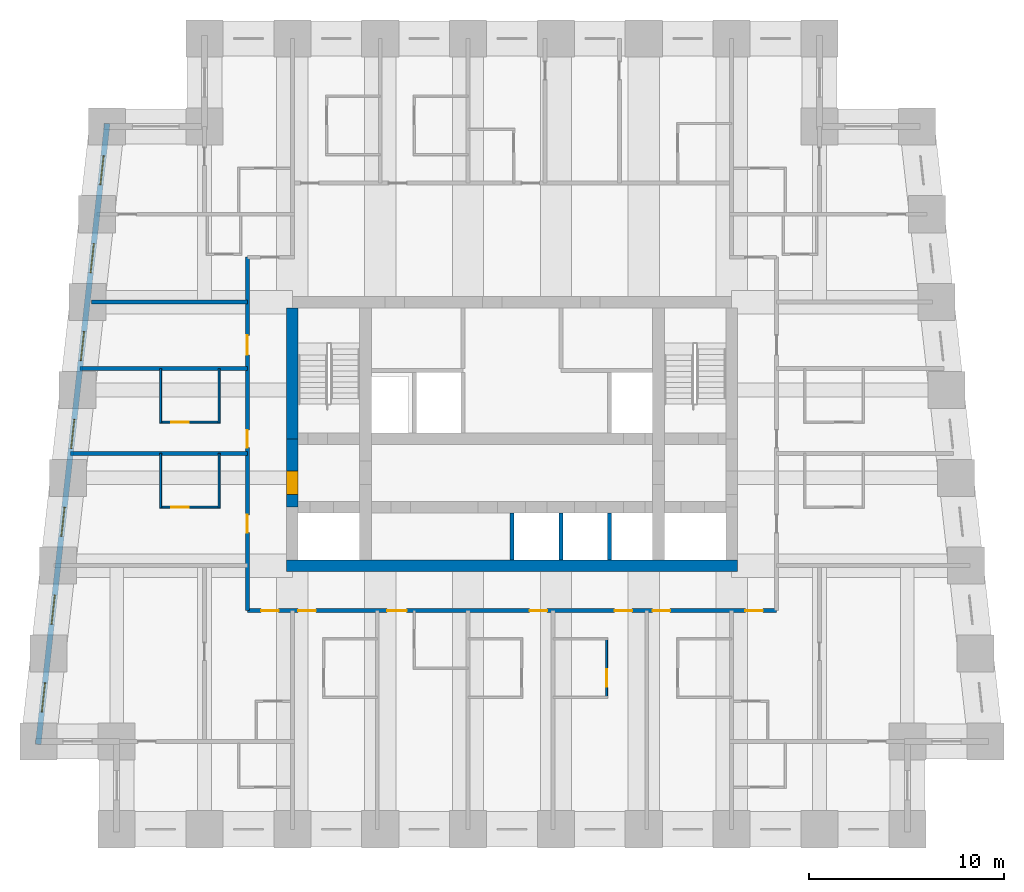
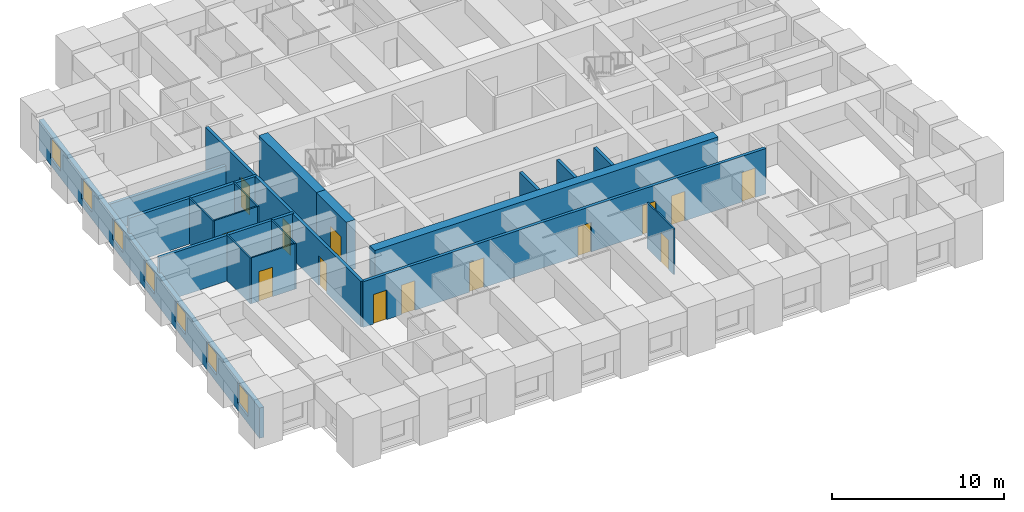
# One storey, part 3 of 8: 19 walls, 14 doors, 7 windows, 21 openings.
"""IFC4 building model written with IfcOpenShell, lengths in metres."""

import ifcopenshell
import ifcopenshell.guid

model = None  # the IFC model being written
_history = None  # IfcOwnerHistory: only IFC2X3 demands one
_inside = {}  # id of a spatial element -> (the spatial element, [elements in it])
_under = {}  # id of a project, library or spatial element -> (it, [spatial elements below it])
_declared = {}  # id of a project -> (the project, [libraries it declares])
_typed = {}  # id of a type object -> (the type object, [elements of that type])
_made_of = {}  # id of a material, layer set ... -> (it, [elements and type objects made of it])


def new_model(schema):
    """Start an empty IFC model of exactly this schema.

    Asked for "IFC4X3", IfcOpenShell would pick the latest addendum, in which some entities
    have other attributes; the version numbers below select the first issue.
    IFC2X3 requires an IfcOwnerHistory on every rooted entity: one is made here for all.
    """
    global model, _history
    if schema == "IFC4X3":
        model = ifcopenshell.file(schema_version=(4, 3, 0, 0))
    else:
        model = ifcopenshell.file(schema=schema)
    _inside.clear()
    _under.clear()
    _declared.clear()
    _typed.clear()
    _made_of.clear()
    _history = None
    if model.schema == "IFC2X3":
        org = make("IfcOrganization", Name="unknown")
        user = make(
            "IfcPersonAndOrganization",
            ThePerson=make("IfcPerson", FamilyName="unknown"),
            TheOrganization=org,
        )
        app = make(
            "IfcApplication",
            ApplicationDeveloper=org,
            Version="unknown",
            ApplicationFullName="unknown",
            ApplicationIdentifier="unknown",
        )
        _history = make(
            "IfcOwnerHistory",
            OwningUser=user,
            OwningApplication=app,
            ChangeAction="ADDED",
            CreationDate=0,
        )
    return model


def make(cls, **values):
    """One entity of the class cls with the attributes given. An attribute that is None is left unset."""
    return model.create_entity(
        cls, **{name: value for name, value in values.items() if value is not None}
    )


def rooted(cls, **values):
    """An entity with a GlobalId (a new one), such as an element, a storey or a relation."""
    return make(cls, GlobalId=ifcopenshell.guid.new(), OwnerHistory=_history, **values)


def si_unit(unit_type, name, prefix=None):
    """IfcSIUnit, for example si_unit("LENGTHUNIT", "METRE", prefix="MILLI")."""
    return make("IfcSIUnit", UnitType=unit_type, Prefix=prefix, Name=name)


def assignment(units):
    """IfcUnitAssignment: the units of a project."""
    return None if units is None else make("IfcUnitAssignment", Units=units)


def point(xyz):
    """IfcCartesianPoint."""
    return None if xyz is None else make("IfcCartesianPoint", Coordinates=xyz)


def direction(xyz):
    """IfcDirection."""
    return None if xyz is None else make("IfcDirection", DirectionRatios=xyz)


def frame(location, z_axis=None, x_axis=None):
    """IfcAxis2Placement3D, a coordinate frame: its origin and axes. An axis left out is left unset."""
    return make(
        "IfcAxis2Placement3D",
        Location=point(location),
        Axis=direction(z_axis),
        RefDirection=direction(x_axis),
    )


def frame_2d(location, x_axis=None):
    """IfcAxis2Placement2D, a coordinate frame in the plane: its origin and x axis."""
    return make(
        "IfcAxis2Placement2D", Location=point(location), RefDirection=direction(x_axis)
    )


def origin():
    """The frame at (0, 0, 0) with its axes left unset."""
    return frame((0.0, 0.0, 0.0))


def place(relative_to, where):
    """IfcLocalPlacement: puts the frame where relative to a parent placement (None: the world)."""
    return make(
        "IfcLocalPlacement", PlacementRelTo=relative_to, RelativePlacement=where
    )


def context(
    kind, dimensions, precision=None, world=None, true_north=None, identifier=None
):
    """IfcGeometricRepresentationContext, for example the 3D "Model" context."""
    return make(
        "IfcGeometricRepresentationContext",
        ContextIdentifier=identifier,
        ContextType=kind,
        CoordinateSpaceDimension=dimensions,
        Precision=precision,
        WorldCoordinateSystem=world,
        TrueNorth=true_north,
    )


def subcontext(parent, identifier, kind, view, scale=None):
    """IfcGeometricRepresentationSubContext, for example "Body" below "Model"."""
    return make(
        "IfcGeometricRepresentationSubContext",
        ContextIdentifier=identifier,
        ContextType=kind,
        ParentContext=parent,
        TargetScale=scale,
        TargetView=view,
    )


def project(units=None, contexts=None):
    """IfcProject with its units and contexts."""
    return rooted(
        "IfcProject",
        Name="project",
        RepresentationContexts=contexts,
        UnitsInContext=assignment(units),
    )


def spatial(cls, under=None, at=None, **own):
    """A site, building, storey or space (cls), placed at a placement, below another one or the project."""
    s = rooted(cls, ObjectPlacement=at, **own)
    if under is not None:
        _under.setdefault(under.id(), (under, []))[1].append(s)
    return s


def profile(cls, at=None, kind="AREA", **sizes):
    """A parametric profile (cls). Its sizes go by their IFC names, for example OverallWidth=200.0."""
    return make(cls, ProfileType=kind, Position=at, **sizes)


def rectangle(**sizes):
    """IfcRectangleProfileDef."""
    return profile("IfcRectangleProfileDef", **sizes)


def extrude(swept, where, along, depth):
    """IfcExtrudedAreaSolid: the profile swept, set in the frame where, extruded along a direction by depth."""
    return make(
        "IfcExtrudedAreaSolid",
        SweptArea=swept,
        Position=where,
        ExtrudedDirection=direction(along),
        Depth=depth,
    )


def shape(context_of_items, identifier, shape_type, items):
    """IfcShapeRepresentation: the items that make up one representation, for example the "Body"."""
    return make(
        "IfcShapeRepresentation",
        ContextOfItems=context_of_items,
        RepresentationIdentifier=identifier,
        RepresentationType=shape_type,
        Items=items,
    )


def material(Name=None, Category=None):
    """IfcMaterial."""
    return make("IfcMaterial", Name=Name, Category=Category)


def layer(
    of_material, thickness, ventilated=None, Name=None, Category=None, Priority=None
):
    """IfcMaterialLayer: one layer of a wall or slab, of a material (None: an air gap)."""
    return make(
        "IfcMaterialLayer",
        Material=of_material,
        LayerThickness=thickness,
        IsVentilated=ventilated,
        Name=Name,
        Category=Category,
        Priority=Priority,
    )


def layer_set(layers, Name=None):
    """IfcMaterialLayerSet."""
    return make("IfcMaterialLayerSet", MaterialLayers=layers, LayerSetName=Name)


def made_of(thing, what):
    """Note that an element or type object is made of a material, layer set ...; save() writes the relation."""
    if what is not None:
        _made_of.setdefault(what.id(), (what, []))[1].append(thing)
    return thing


def type_object(cls, material=None, **own):
    """A type object (cls), such as IfcWallType, which elements share."""
    return made_of(rooted(cls, **own), material)


def element(
    cls,
    number,
    at=None,
    inside=None,
    cuts=None,
    type_object=None,
    material=None,
    context=None,
    identifier="Body",
    shape_type=None,
    held_by="IfcProductDefinitionShape",
    body=None,
    shapes=None,
    **own,
):
    """One element of the class cls, such as IfcWall. Its Tag is "e" and its number.

    at: its placement. inside: the storey or other place that contains it. cuts: it is an
    opening in that element (IfcRelVoidsElement). A single representation is given by context,
    identifier, shape_type and body (its items); several are given by shapes. held_by: the class
    of the entity that holds the representations. save() writes the other relations.
    """
    e = rooted(cls, Tag="e%d" % number, ObjectPlacement=at, **own)
    if body is not None:
        shapes = [shape(context, identifier, shape_type, body)]
    if shapes is not None:
        e.Representation = make(held_by, Representations=shapes)
    if inside is not None:
        _inside.setdefault(inside.id(), (inside, []))[1].append(e)
    if cuts is not None:
        rooted(
            "IfcRelVoidsElement", RelatingBuildingElement=cuts, RelatedOpeningElement=e
        )
    if type_object is not None:
        _typed.setdefault(type_object.id(), (type_object, []))[1].append(e)
    return made_of(e, material)


def fill(opening, filler):
    """IfcRelFillsElement: the door or window that sits in an opening."""
    return rooted(
        "IfcRelFillsElement",
        RelatingOpeningElement=opening,
        RelatedBuildingElement=filler,
    )


def aggregate(whole, parts):
    """IfcRelAggregates: a whole, such as a stair, and the parts it consists of."""
    return rooted("IfcRelAggregates", RelatingObject=whole, RelatedObjects=parts)


def save(model, path):
    """Write the relations noted so far, then the file.

    IfcRelAggregates (storeys below a building ...), IfcRelContainedInSpatialStructure (elements
    in a storey), IfcRelDefinesByType, IfcRelAssociatesMaterial and IfcRelDeclares: one each for
    every whole, place, type object, material and project.
    """
    for whole, parts in _under.values():
        aggregate(whole, parts)
    for where, things in _inside.values():
        rooted(
            "IfcRelContainedInSpatialStructure",
            RelatedElements=things,
            RelatingStructure=where,
        )
    for kind, things in _typed.values():
        rooted("IfcRelDefinesByType", RelatedObjects=things, RelatingType=kind)
    for what, things in _made_of.values():
        rooted("IfcRelAssociatesMaterial", RelatedObjects=things, RelatingMaterial=what)
    for by, libraries in _declared.values():
        rooted("IfcRelDeclares", RelatingContext=by, RelatedDefinitions=libraries)
    model.write(path)


model = new_model("IFC4")

# Units and contexts
model_context = context("Model", 3, precision=1e-05, world=origin(), true_north=direction((0.0, 1.0)))
body_context = subcontext(model_context, "Body", "Model", "MODEL_VIEW")
ifc_project = project(units=[si_unit("LENGTHUNIT", "METRE"), si_unit("AREAUNIT", "SQUARE_METRE"), si_unit("VOLUMEUNIT", "CUBIC_METRE"), si_unit("PLANEANGLEUNIT", "RADIAN"), si_unit("MASSUNIT", "GRAM", prefix="KILO")], contexts=[model_context])

# Site, building, storey
site_placement = place(None, origin())
site = spatial("IfcSite", under=ifc_project, at=site_placement, CompositionType="ELEMENT")
building_placement = place(site_placement, origin())
building = spatial("IfcBuilding", under=site, at=building_placement, Name="Kilele Tower Hotel", CompositionType="ELEMENT")
storey_placement = place(building_placement, frame((0.0, 0.0, 100.39990234375)))
storey = spatial("IfcBuildingStorey", under=building, at=storey_placement, Name="L25", CompositionType="ELEMENT", Elevation=100.39990234375)

# Wall, opening, door
ifc_material_1 = material(Name="Moisture-resistant board")
ifc_layer_1 = layer(ifc_material_1, 0.10009765625)
ifc_layer_set_1 = layer_set([ifc_layer_1], Name="Moisture-resistant board")
wall_type_1 = type_object("IfcWallType", Name="Bathroom partition 100", PredefinedType="PLUMBINGWALL", material=ifc_layer_set_1)
wall_1_placement = place(storey_placement, frame((29.60009765625, 9.800048828125, 0.0), z_axis=(0.0, 0.0, 1.0), x_axis=(0.0, -1.0, 0.0)))
wall_1 = element("IfcWall", 1, at=wall_1_placement, inside=storey, type_object=wall_type_1, Name="Bathroom partition 100 L25", PredefinedType="PLUMBINGWALL", context=body_context, shape_type="SweptSolid", body=[
    extrude(rectangle(XDim=3.10009765625, YDim=0.10009765625, at=frame_2d((1.550048828125, 0.0))), origin(), (0.0, 0.0, 1.0), 3.25),
])
opening_1_placement = place(wall_1_placement, frame((1.60009765625, 0.0, 0.0)))
opening_1 = element("IfcOpeningElement", 2, at=opening_1_placement, cuts=wall_1, Name="Opening D2A", PredefinedType="OPENING", context=body_context, shape_type="SweptSolid", body=[
    extrude(rectangle(XDim=0.89990234375, YDim=2.10009765625, at=frame_2d((0.449951171875, 1.050048828125))), frame((0.0, 0.06005859375, 0.0), z_axis=(0.0, -1.0, 0.0), x_axis=(1.0, 0.0, 0.0)), (0.0, 0.0, 1.0), 0.1201171875),
])
ifc_material_2 = material(Name="Timber door leaf in hardwood frame", Category="wood")
door_type_1 = type_object("IfcDoorType", Name="Bathroom door 900", OperationType="SINGLE_SWING_LEFT", PredefinedType="DOOR", material=ifc_material_2)
door_1_placement = place(opening_1_placement, origin())
door_1 = element("IfcDoor", 3, at=door_1_placement, inside=storey, type_object=door_type_1, Name="Bathroom door 2504B", OperationType="SINGLE_SWING_RIGHT", OverallHeight=2.10009765625, OverallWidth=0.89990234375, PredefinedType="DOOR", context=body_context, shape_type="SweptSolid", body=[
    extrude(rectangle(XDim=0.89990234375, YDim=2.10009765625, at=frame_2d((0.449951171875, 1.050048828125))), frame((0.0, 0.02490234375, 0.0), z_axis=(0.0, -1.0, 0.0), x_axis=(1.0, 0.0, 0.0)), (0.0, 0.0, 1.0), 0.050048828125),
])
fill(opening_1, door_1)

# Walls
for number, where, z_axis, x_axis, name in (
    (4, (9.75, 16.449951171875, 0.0), (0.0, 0.0, 1.0), (0.0, 1.0, 0.0), "Bathroom partition 100 L25"),
    (5, (6.75, 16.449951171875, 0.0), (0.0, 0.0, 1.0), (0.0, 1.0, 0.0), "Bathroom partition 100 L25"),
):
    element("IfcWall", number, at=place(storey_placement, frame(where, z_axis=z_axis, x_axis=x_axis)), inside=storey, type_object=wall_type_1, Name=name, PredefinedType="PLUMBINGWALL", context=body_context, shape_type="SweptSolid", body=[
        extrude(rectangle(XDim=2.800048828125, YDim=0.10009765625, at=frame_2d((1.39990234375, 0.0))), origin(), (0.0, 0.0, 1.0), 3.25),
    ])

# Wall, opening, door
wall_2_placement = place(storey_placement, frame((9.800048828125, 16.5, 0.0), z_axis=(0.0, 0.0, 1.0), x_axis=(-1.0, 0.0, 0.0)))
wall_2 = element("IfcWall", 6, at=wall_2_placement, inside=storey, type_object=wall_type_1, Name="Bathroom partition 100 L25", PredefinedType="PLUMBINGWALL", context=body_context, shape_type="SweptSolid", body=[
    extrude(rectangle(XDim=3.10009765625, YDim=0.10009765625, at=frame_2d((1.550048828125, 0.0))), origin(), (0.0, 0.0, 1.0), 3.25),
])
opening_2_placement = place(wall_2_placement, frame((1.60009765625, 0.0, 0.0)))
opening_2 = element("IfcOpeningElement", 7, at=opening_2_placement, cuts=wall_2, Name="Opening D2A", PredefinedType="OPENING", context=body_context, shape_type="SweptSolid", body=[
    extrude(rectangle(XDim=0.89990234375, YDim=2.10009765625, at=frame_2d((0.449951171875, 1.050048828125))), frame((0.0, 0.06005859375, 0.0), z_axis=(0.0, -1.0, 0.0), x_axis=(1.0, 0.0, 0.0)), (0.0, 0.0, 1.0), 0.1201171875),
])
door_2_placement = place(opening_2_placement, origin())
door_2 = element("IfcDoor", 8, at=door_2_placement, inside=storey, type_object=door_type_1, Name="Bathroom door 2514B", OperationType="SINGLE_SWING_RIGHT", OverallHeight=2.10009765625, OverallWidth=0.89990234375, PredefinedType="DOOR", context=body_context, shape_type="SweptSolid", body=[
    extrude(rectangle(XDim=0.89990234375, YDim=2.10009765625, at=frame_2d((0.449951171875, 1.050048828125))), frame((0.0, 0.02490234375, 0.0), z_axis=(0.0, -1.0, 0.0), x_axis=(1.0, 0.0, 0.0)), (0.0, 0.0, 1.0), 0.050048828125),
])
fill(opening_2, door_2)

# Walls
for number, where, z_axis, x_axis, name in (
    (9, (9.75, 20.800048828125, 0.0), (0.0, 0.0, 1.0), (0.0, 1.0, 0.0), "Bathroom partition 100 L25"),
    (10, (6.75, 20.800048828125, 0.0), (0.0, 0.0, 1.0), (0.0, 1.0, 0.0), "Bathroom partition 100 L25"),
):
    element("IfcWall", number, at=place(storey_placement, frame(where, z_axis=z_axis, x_axis=x_axis)), inside=storey, type_object=wall_type_1, Name=name, PredefinedType="PLUMBINGWALL", context=body_context, shape_type="SweptSolid", body=[
        extrude(rectangle(XDim=2.800048828125, YDim=0.10009765625, at=frame_2d((1.39990234375, 0.0))), origin(), (0.0, 0.0, 1.0), 3.25),
    ])

# Wall, opening, door
wall_3_placement = place(storey_placement, frame((9.800048828125, 20.85009765625, 0.0), z_axis=(0.0, 0.0, 1.0), x_axis=(-1.0, 0.0, 0.0)))
wall_3 = element("IfcWall", 11, at=wall_3_placement, inside=storey, type_object=wall_type_1, Name="Bathroom partition 100 L25", PredefinedType="PLUMBINGWALL", context=body_context, shape_type="SweptSolid", body=[
    extrude(rectangle(XDim=3.10009765625, YDim=0.10009765625, at=frame_2d((1.550048828125, 0.0))), origin(), (0.0, 0.0, 1.0), 3.25),
])
opening_3_placement = place(wall_3_placement, frame((1.60009765625, 0.0, 0.0)))
opening_3 = element("IfcOpeningElement", 12, at=opening_3_placement, cuts=wall_3, Name="Opening D2A", PredefinedType="OPENING", context=body_context, shape_type="SweptSolid", body=[
    extrude(rectangle(XDim=0.89990234375, YDim=2.10009765625, at=frame_2d((0.449951171875, 1.050048828125))), frame((0.0, 0.06005859375, 0.0), z_axis=(0.0, -1.0, 0.0), x_axis=(1.0, 0.0, 0.0)), (0.0, 0.0, 1.0), 0.1201171875),
])
door_3_placement = place(opening_3_placement, origin())
door_3 = element("IfcDoor", 13, at=door_3_placement, inside=storey, type_object=door_type_1, Name="Bathroom door 2515B", OperationType="SINGLE_SWING_RIGHT", OverallHeight=2.10009765625, OverallWidth=0.89990234375, PredefinedType="DOOR", context=body_context, shape_type="SweptSolid", body=[
    extrude(rectangle(XDim=0.89990234375, YDim=2.10009765625, at=frame_2d((0.449951171875, 1.050048828125))), frame((0.0, 0.02490234375, 0.0), z_axis=(0.0, -1.0, 0.0), x_axis=(1.0, 0.0, 0.0)), (0.0, 0.0, 1.0), 0.050048828125),
])
fill(opening_3, door_3)

# Walls
ifc_material_3 = material(Name="Concrete C60/75", Category="concrete")
ifc_layer_2 = layer(ifc_material_3, 0.60009765625)
ifc_layer_set_2 = layer_set([ifc_layer_2], Name="Concrete C60/75")
wall_type_2 = type_object("IfcWallType", Name="Core wall 600 C60/75", PredefinedType="SHEAR", material=ifc_layer_set_2)
wall_4_placement = place(storey_placement, frame((13.199951171875, 13.5, 0.0), z_axis=(0.0, 0.0, 1.0), x_axis=(1.0, 0.0, 0.0)))
element("IfcWall", 14, at=wall_4_placement, inside=storey, type_object=wall_type_2, Name="Core wall S L25", PredefinedType="SHEAR", context=body_context, shape_type="SweptSolid", body=[
    extrude(rectangle(XDim=23.10009765625, YDim=0.60009765625, at=frame_2d((11.550048828125, 0.0))), origin(), (0.0, 0.0, 1.0), 3.5),
])
wall_5_placement = place(storey_placement, frame((13.5, 26.699951171875, 0.0), z_axis=(0.0, 0.0, 1.0), x_axis=(0.0, -1.0, 0.0)))
element("IfcWall", 15, at=wall_5_placement, inside=storey, type_object=wall_type_2, Name="Core wall W1 L25", PredefinedType="SHEAR", context=body_context, shape_type="SweptSolid", body=[
    extrude(rectangle(XDim=6.699951171875, YDim=0.60009765625, at=frame_2d((3.35009765625, 0.0))), origin(), (0.0, 0.0, 1.0), 3.5),
])

# Wall, opening, door
wall_6_placement = place(storey_placement, frame((13.5, 20.0, 0.0), z_axis=(0.0, 0.0, 1.0), x_axis=(0.0, -1.0, 0.0)))
wall_6 = element("IfcWall", 16, at=wall_6_placement, inside=storey, type_object=wall_type_2, Name="Core wall W2 L25", PredefinedType="SHEAR", context=body_context, shape_type="SweptSolid", body=[
    extrude(rectangle(XDim=3.5, YDim=0.60009765625, at=frame_2d((1.75, 0.0))), origin(), (0.0, 0.0, 1.0), 3.5),
])
opening_4_placement = place(wall_6_placement, frame((1.64990234375, 0.0, 0.0)))
opening_4 = element("IfcOpeningElement", 17, at=opening_4_placement, cuts=wall_6, Name="Opening D4", PredefinedType="OPENING", context=body_context, shape_type="SweptSolid", body=[
    extrude(rectangle(XDim=1.199951171875, YDim=2.10009765625, at=frame_2d((0.60009765625, 1.050048828125))), frame((0.0, 0.31005859375, 0.0), z_axis=(0.0, -1.0, 0.0), x_axis=(1.0, 0.0, 0.0)), (0.0, 0.0, 1.0), 0.6201171875),
])
ifc_material_4 = material(Name="Timber door leaf in hardwood frame", Category="wood")
door_type_2 = type_object("IfcDoorType", Name="Firefighting lobby door 1200", OperationType="SINGLE_SWING_LEFT", PredefinedType="DOOR", material=ifc_material_4)
door_4_placement = place(opening_4_placement, origin())
door_4 = element("IfcDoor", 18, at=door_4_placement, inside=storey, type_object=door_type_2, Name="Lobby door L25", OperationType="SINGLE_SWING_RIGHT", OverallHeight=2.10009765625, OverallWidth=1.199951171875, PredefinedType="DOOR", context=body_context, shape_type="SweptSolid", body=[
    extrude(rectangle(XDim=1.199951171875, YDim=2.10009765625, at=frame_2d((0.60009765625, 1.050048828125))), frame((0.0, 0.2998046875, 0.0), z_axis=(0.0, -1.0, 0.0), x_axis=(1.0, 0.0, 0.0)), (0.0, 0.0, 1.0), 0.599609375),
])
fill(opening_4, door_4)

# Wall, openings, doors
ifc_material_5 = material(Name="Blockwork, plastered both sides", Category="masonry")
ifc_layer_3 = layer(ifc_material_5, 0.199951171875)
ifc_layer_set_3 = layer_set([ifc_layer_3], Name="Blockwork, plastered both sides")
wall_type_3 = type_object("IfcWallType", Name="Corridor wall 200", PredefinedType="PARTITIONING", material=ifc_layer_set_3)
wall_7_placement = place(storey_placement, frame((11.199951171875, 11.199951171875, 0.0), z_axis=(0.0, 0.0, 1.0), x_axis=(1.0, 0.0, 0.0)))
wall_7 = element("IfcWall", 19, at=wall_7_placement, inside=storey, type_object=wall_type_3, Name="Corridor wall 200 L25", PredefinedType="PARTITIONING", context=body_context, shape_type="SweptSolid", body=[
    extrude(rectangle(XDim=27.10009765625, YDim=0.199951171875, at=frame_2d((13.550048828125, 0.0))), origin(), (0.0, 0.0, 1.0), 3.25),
])
opening_5_placement = place(wall_7_placement, frame((3.5, 0.0, 0.0), z_axis=(0.0, 0.0, 1.0), x_axis=(-1.0, 0.0, 0.0)))
opening_5 = element("IfcOpeningElement", 20, at=opening_5_placement, cuts=wall_7, Name="Opening D1", PredefinedType="OPENING", context=body_context, shape_type="SweptSolid", body=[
    extrude(rectangle(XDim=0.89990234375, YDim=2.10009765625, at=frame_2d((0.449951171875, 1.050048828125))), frame((0.0, 0.10986328125, 0.0), z_axis=(0.0, -1.0, 0.0), x_axis=(1.0, 0.0, 0.0)), (0.0, 0.0, 1.0), 0.219970703125),
])
opening_6_placement = place(wall_7_placement, frame((8.14990234375, 0.0, 0.0), z_axis=(0.0, 0.0, 1.0), x_axis=(-1.0, 0.0, 0.0)))
opening_6 = element("IfcOpeningElement", 21, at=opening_6_placement, cuts=wall_7, Name="Opening D1A", PredefinedType="OPENING", context=body_context, shape_type="SweptSolid", body=[
    extrude(rectangle(XDim=1.0, YDim=2.10009765625, at=frame_2d((0.5, 1.050048828125))), frame((0.0, 0.10986328125, 0.0), z_axis=(0.0, -1.0, 0.0), x_axis=(1.0, 0.0, 0.0)), (0.0, 0.0, 1.0), 0.219970703125),
])
opening_7_placement = place(wall_7_placement, frame((15.349853515625, 0.0, 0.0), z_axis=(0.0, 0.0, 1.0), x_axis=(-1.0, 0.0, 0.0)))
opening_7 = element("IfcOpeningElement", 22, at=opening_7_placement, cuts=wall_7, Name="Opening D1", PredefinedType="OPENING", context=body_context, shape_type="SweptSolid", body=[
    extrude(rectangle(XDim=0.89990234375, YDim=2.10009765625, at=frame_2d((0.449951171875, 1.050048828125))), frame((0.0, 0.10986328125, 0.0), z_axis=(0.0, -1.0, 0.0), x_axis=(1.0, 0.0, 0.0)), (0.0, 0.0, 1.0), 0.219970703125),
])
opening_8_placement = place(wall_7_placement, frame((19.699951171875, 0.0, 0.0), z_axis=(0.0, 0.0, 1.0), x_axis=(-1.0, 0.0, 0.0)))
opening_8 = element("IfcOpeningElement", 23, at=opening_8_placement, cuts=wall_7, Name="Opening D1", PredefinedType="OPENING", context=body_context, shape_type="SweptSolid", body=[
    extrude(rectangle(XDim=0.89990234375, YDim=2.10009765625, at=frame_2d((0.449951171875, 1.050048828125))), frame((0.0, 0.10986328125, 0.0), z_axis=(0.0, -1.0, 0.0), x_axis=(1.0, 0.0, 0.0)), (0.0, 0.0, 1.0), 0.219970703125),
])
opening_9_placement = place(wall_7_placement, frame((21.64990234375, 0.0, 0.0), z_axis=(0.0, 0.0, 1.0), x_axis=(-1.0, 0.0, 0.0)))
opening_9 = element("IfcOpeningElement", 24, at=opening_9_placement, cuts=wall_7, Name="Opening D1", PredefinedType="OPENING", context=body_context, shape_type="SweptSolid", body=[
    extrude(rectangle(XDim=0.89990234375, YDim=2.10009765625, at=frame_2d((0.449951171875, 1.050048828125))), frame((0.0, 0.10986328125, 0.0), z_axis=(0.0, -1.0, 0.0), x_axis=(1.0, 0.0, 0.0)), (0.0, 0.0, 1.0), 0.219970703125),
])
opening_10_placement = place(wall_7_placement, frame((1.599853515625, 0.0, 0.0), z_axis=(0.0, 0.0, 1.0), x_axis=(-1.0, 0.0, 0.0)))
opening_10 = element("IfcOpeningElement", 25, at=opening_10_placement, cuts=wall_7, Name="Opening D1", PredefinedType="OPENING", context=body_context, shape_type="SweptSolid", body=[
    extrude(rectangle(XDim=0.89990234375, YDim=2.10009765625, at=frame_2d((0.449951171875, 1.050048828125))), frame((0.0, 0.10986328125, 0.0), z_axis=(0.0, -1.0, 0.0), x_axis=(1.0, 0.0, 0.0)), (0.0, 0.0, 1.0), 0.219970703125),
])
opening_11_placement = place(wall_7_placement, frame((26.39990234375, 0.0, 0.0), z_axis=(0.0, 0.0, 1.0), x_axis=(-1.0, 0.0, 0.0)))
opening_11 = element("IfcOpeningElement", 26, at=opening_11_placement, cuts=wall_7, Name="Opening D1", PredefinedType="OPENING", context=body_context, shape_type="SweptSolid", body=[
    extrude(rectangle(XDim=0.89990234375, YDim=2.10009765625, at=frame_2d((0.449951171875, 1.050048828125))), frame((0.0, 0.10986328125, 0.0), z_axis=(0.0, -1.0, 0.0), x_axis=(1.0, 0.0, 0.0)), (0.0, 0.0, 1.0), 0.219970703125),
])
ifc_material_6 = material(Name="Timber door leaf in hardwood frame", Category="wood")
door_type_3 = type_object("IfcDoorType", Name="Guest room entrance door 1000", OperationType="SINGLE_SWING_LEFT", PredefinedType="DOOR", material=ifc_material_6)
door_5_placement = place(opening_6_placement, origin())
door_5 = element("IfcDoor", 27, at=door_5_placement, inside=storey, type_object=door_type_3, Name="Room entrance 2502", OperationType="SINGLE_SWING_RIGHT", OverallHeight=2.10009765625, OverallWidth=1.0, PredefinedType="DOOR", context=body_context, shape_type="SweptSolid", body=[
    extrude(rectangle(XDim=1.0, YDim=2.10009765625, at=frame_2d((0.5, 1.050048828125))), frame((0.0, 0.02490234375, 0.0), z_axis=(0.0, -1.0, 0.0), x_axis=(1.0, 0.0, 0.0)), (0.0, 0.0, 1.0), 0.050048828125),
])
fill(opening_6, door_5)
ifc_material_7 = material(Name="Timber door leaf in hardwood frame", Category="wood")
door_type_4 = type_object("IfcDoorType", Name="Guest room entrance door 900", OperationType="SINGLE_SWING_LEFT", PredefinedType="DOOR", material=ifc_material_7)
door_6_placement = place(opening_5_placement, origin())
door_6 = element("IfcDoor", 28, at=door_6_placement, inside=storey, type_object=door_type_4, Name="Room entrance 2501", OperationType="SINGLE_SWING_RIGHT", OverallHeight=2.10009765625, OverallWidth=0.89990234375, PredefinedType="DOOR", context=body_context, shape_type="SweptSolid", body=[
    extrude(rectangle(XDim=0.89990234375, YDim=2.10009765625, at=frame_2d((0.449951171875, 1.050048828125))), frame((0.0, 0.02490234375, 0.0), z_axis=(0.0, -1.0, 0.0), x_axis=(1.0, 0.0, 0.0)), (0.0, 0.0, 1.0), 0.050048828125),
])
fill(opening_5, door_6)
door_7_placement = place(opening_7_placement, origin())
door_7 = element("IfcDoor", 29, at=door_7_placement, inside=storey, type_object=door_type_4, Name="Room entrance 2503", OperationType="SINGLE_SWING_LEFT", OverallHeight=2.10009765625, OverallWidth=0.89990234375, PredefinedType="DOOR", context=body_context, shape_type="SweptSolid", body=[
    extrude(rectangle(XDim=0.89990234375, YDim=2.10009765625, at=frame_2d((0.449951171875, 1.050048828125))), frame((0.0, 0.02490234375, 0.0), z_axis=(0.0, -1.0, 0.0), x_axis=(1.0, 0.0, 0.0)), (0.0, 0.0, 1.0), 0.050048828125),
])
fill(opening_7, door_7)
door_8_placement = place(opening_8_placement, origin())
door_8 = element("IfcDoor", 30, at=door_8_placement, inside=storey, type_object=door_type_4, Name="Room entrance 2504", OperationType="SINGLE_SWING_LEFT", OverallHeight=2.10009765625, OverallWidth=0.89990234375, PredefinedType="DOOR", context=body_context, shape_type="SweptSolid", body=[
    extrude(rectangle(XDim=0.89990234375, YDim=2.10009765625, at=frame_2d((0.449951171875, 1.050048828125))), frame((0.0, 0.02490234375, 0.0), z_axis=(0.0, -1.0, 0.0), x_axis=(1.0, 0.0, 0.0)), (0.0, 0.0, 1.0), 0.050048828125),
])
fill(opening_8, door_8)
door_9_placement = place(opening_9_placement, origin())
door_9 = element("IfcDoor", 31, at=door_9_placement, inside=storey, type_object=door_type_4, Name="Room entrance 2505", OperationType="SINGLE_SWING_RIGHT", OverallHeight=2.10009765625, OverallWidth=0.89990234375, PredefinedType="DOOR", context=body_context, shape_type="SweptSolid", body=[
    extrude(rectangle(XDim=0.89990234375, YDim=2.10009765625, at=frame_2d((0.449951171875, 1.050048828125))), frame((0.0, 0.02490234375, 0.0), z_axis=(0.0, -1.0, 0.0), x_axis=(1.0, 0.0, 0.0)), (0.0, 0.0, 1.0), 0.050048828125),
])
fill(opening_9, door_9)
door_10_placement = place(opening_10_placement, origin())
door_10 = element("IfcDoor", 32, at=door_10_placement, inside=storey, type_object=door_type_4, Name="Room entrance 2517", OperationType="SINGLE_SWING_LEFT", OverallHeight=2.10009765625, OverallWidth=0.89990234375, PredefinedType="DOOR", context=body_context, shape_type="SweptSolid", body=[
    extrude(rectangle(XDim=0.89990234375, YDim=2.10009765625, at=frame_2d((0.449951171875, 1.050048828125))), frame((0.0, 0.02490234375, 0.0), z_axis=(0.0, -1.0, 0.0), x_axis=(1.0, 0.0, 0.0)), (0.0, 0.0, 1.0), 0.050048828125),
])
fill(opening_10, door_10)
door_11_placement = place(opening_11_placement, origin())
door_11 = element("IfcDoor", 33, at=door_11_placement, inside=storey, type_object=door_type_4, Name="Room entrance 2520", OperationType="SINGLE_SWING_RIGHT", OverallHeight=2.10009765625, OverallWidth=0.89990234375, PredefinedType="DOOR", context=body_context, shape_type="SweptSolid", body=[
    extrude(rectangle(XDim=0.89990234375, YDim=2.10009765625, at=frame_2d((0.449951171875, 1.050048828125))), frame((0.0, 0.02490234375, 0.0), z_axis=(0.0, -1.0, 0.0), x_axis=(1.0, 0.0, 0.0)), (0.0, 0.0, 1.0), 0.050048828125),
])
fill(opening_11, door_11)

wall_8_placement = place(storey_placement, frame((11.199951171875, 11.199951171875, 0.0), z_axis=(0.0, 0.0, 1.0), x_axis=(0.0, 1.0, 0.0)))
wall_8 = element("IfcWall", 34, at=wall_8_placement, inside=storey, type_object=wall_type_3, Name="Corridor wall 200 L25", PredefinedType="PARTITIONING", context=body_context, shape_type="SweptSolid", body=[
    extrude(rectangle(XDim=18.10009765625, YDim=0.199951171875, at=frame_2d((9.050048828125, 0.0))), origin(), (0.0, 0.0, 1.0), 3.25),
])
opening_12_placement = place(wall_8_placement, frame((4.0, 0.0, 0.0)))
opening_12 = element("IfcOpeningElement", 35, at=opening_12_placement, cuts=wall_8, Name="Opening D1", PredefinedType="OPENING", context=body_context, shape_type="SweptSolid", body=[
    extrude(rectangle(XDim=0.89990234375, YDim=2.10009765625, at=frame_2d((0.449951171875, 1.050048828125))), frame((0.0, 0.10986328125, 0.0), z_axis=(0.0, -1.0, 0.0), x_axis=(1.0, 0.0, 0.0)), (0.0, 0.0, 1.0), 0.219970703125),
])
opening_13_placement = place(wall_8_placement, frame((8.35009765625, 0.0, 0.0)))
opening_13 = element("IfcOpeningElement", 36, at=opening_13_placement, cuts=wall_8, Name="Opening D1", PredefinedType="OPENING", context=body_context, shape_type="SweptSolid", body=[
    extrude(rectangle(XDim=0.89990234375, YDim=2.10009765625, at=frame_2d((0.449951171875, 1.050048828125))), frame((0.0, 0.10986328125, 0.0), z_axis=(0.0, -1.0, 0.0), x_axis=(1.0, 0.0, 0.0)), (0.0, 0.0, 1.0), 0.219970703125),
])
opening_14_placement = place(wall_8_placement, frame((13.10009765625, 0.0, 0.0)))
opening_14 = element("IfcOpeningElement", 37, at=opening_14_placement, cuts=wall_8, Name="Opening D8", PredefinedType="OPENING", context=body_context, shape_type="SweptSolid", body=[
    extrude(rectangle(XDim=1.0, YDim=2.10009765625, at=frame_2d((0.5, 1.050048828125))), frame((0.0, 0.10986328125, 0.0), z_axis=(0.0, -1.0, 0.0), x_axis=(1.0, 0.0, 0.0)), (0.0, 0.0, 1.0), 0.219970703125),
])
ifc_material_8 = material(Name="Timber door leaf in hardwood frame", Category="wood")
door_type_5 = type_object("IfcDoorType", Name="Door 1000", OperationType="SINGLE_SWING_LEFT", PredefinedType="DOOR", material=ifc_material_8)
door_12_placement = place(opening_14_placement, origin())
door_12 = element("IfcDoor", 38, at=door_12_placement, inside=storey, type_object=door_type_5, Name="Room entrance 2516", OperationType="SINGLE_SWING_LEFT", OverallHeight=2.10009765625, OverallWidth=1.0, PredefinedType="DOOR", context=body_context, shape_type="SweptSolid", body=[
    extrude(rectangle(XDim=1.0, YDim=2.10009765625, at=frame_2d((0.5, 1.050048828125))), frame((0.0, 0.02490234375, 0.0), z_axis=(0.0, -1.0, 0.0), x_axis=(1.0, 0.0, 0.0)), (0.0, 0.0, 1.0), 0.050048828125),
])
fill(opening_14, door_12)
door_13_placement = place(opening_12_placement, origin())
door_13 = element("IfcDoor", 39, at=door_13_placement, inside=storey, type_object=door_type_4, Name="Room entrance 2514", OperationType="SINGLE_SWING_LEFT", OverallHeight=2.10009765625, OverallWidth=0.89990234375, PredefinedType="DOOR", context=body_context, shape_type="SweptSolid", body=[
    extrude(rectangle(XDim=0.89990234375, YDim=2.10009765625, at=frame_2d((0.449951171875, 1.050048828125))), frame((0.0, 0.02490234375, 0.0), z_axis=(0.0, -1.0, 0.0), x_axis=(1.0, 0.0, 0.0)), (0.0, 0.0, 1.0), 0.050048828125),
])
fill(opening_12, door_13)
door_14_placement = place(opening_13_placement, origin())
door_14 = element("IfcDoor", 40, at=door_14_placement, inside=storey, type_object=door_type_4, Name="Room entrance 2515", OperationType="SINGLE_SWING_LEFT", OverallHeight=2.10009765625, OverallWidth=0.89990234375, PredefinedType="DOOR", context=body_context, shape_type="SweptSolid", body=[
    extrude(rectangle(XDim=0.89990234375, YDim=2.10009765625, at=frame_2d((0.449951171875, 1.050048828125))), frame((0.0, 0.02490234375, 0.0), z_axis=(0.0, -1.0, 0.0), x_axis=(1.0, 0.0, 0.0)), (0.0, 0.0, 1.0), 0.050048828125),
])
fill(opening_13, door_14)

# Walls
ifc_material_9 = material(Name="Blockwork, plastered both sides", Category="masonry")
ifc_layer_4 = layer(ifc_material_9, 0.199951171875)
ifc_layer_set_4 = layer_set([ifc_layer_4], Name="Blockwork, plastered both sides")
wall_type_4 = type_object("IfcWallType", Name="Party wall 200", PredefinedType="PARTITIONING", material=ifc_layer_set_4)
wall_9_placement = place(storey_placement, frame((11.199951171875, 19.25, 0.0), z_axis=(0.0, 0.0, 1.0), x_axis=(-1.0, 0.0, 0.0)))
element("IfcWall", 41, at=wall_9_placement, inside=storey, type_object=wall_type_4, Name="Party wall 200 L25", PredefinedType="PARTITIONING", context=body_context, shape_type="SweptSolid", body=[
    extrude(rectangle(XDim=9.06005859375, YDim=0.199951171875, at=frame_2d((4.530029296875, 0.0))), origin(), (0.0, 0.0, 1.0), 3.25),
])
wall_10_placement = place(storey_placement, frame((11.199951171875, 23.60009765625, 0.0), z_axis=(0.0, 0.0, 1.0), x_axis=(-1.0, 0.0, 0.0)))
element("IfcWall", 42, at=wall_10_placement, inside=storey, type_object=wall_type_4, Name="Party wall 200 L25", PredefinedType="PARTITIONING", context=body_context, shape_type="SweptSolid", body=[
    extrude(rectangle(XDim=8.576904296875, YDim=0.199951171875, at=frame_2d((4.28857421875, 0.0))), origin(), (0.0, 0.0, 1.0), 3.25),
])
wall_11_placement = place(storey_placement, frame((11.199951171875, 27.0, 0.0), z_axis=(0.0, 0.0, 1.0), x_axis=(-1.0, 0.0, 0.0)))
element("IfcWall", 43, at=wall_11_placement, inside=storey, type_object=wall_type_4, Name="Party wall 200 L25", PredefinedType="PARTITIONING", context=body_context, shape_type="SweptSolid", body=[
    extrude(rectangle(XDim=7.976806640625, YDim=0.199951171875, at=frame_2d((3.98828125, 0.0))), origin(), (0.0, 0.0, 1.0), 1.9501953125),
])

# Wall, openings, windows
ifc_material_10 = material(Name="Concrete C40/50 precast", Category="concrete")
ifc_layer_5 = layer(ifc_material_10, 0.260009765625, Name="Precast backing", Category="LoadBearing")
ifc_material_11 = material(Name="Reconstituted stone finish", Category="masonry")
ifc_layer_6 = layer(ifc_material_11, 0.0400390625, Name="Face mix", Category="Finish")
ifc_layer_set_5 = layer_set([ifc_layer_5, ifc_layer_6], Name="Precast concrete C40/50, reconstituted stone finish")
wall_type_5 = type_object("IfcWallType", Name="Precast stone facade wall 300", PredefinedType="STANDARD", material=ifc_layer_set_5)
wall_12_placement = place(storey_placement, frame((4.0166015625, 36.149169921875, 0.0), z_axis=(0.0, 0.0, 1.0), x_axis=(-0.110433201132, -0.993883548555, 0.0)))
wall_12 = element("IfcWall", 44, at=wall_12_placement, inside=storey, type_object=wall_type_5, Name="Facade wall L25 edge 12", PredefinedType="STANDARD", context=body_context, shape_type="SweptSolid", body=[
    extrude(rectangle(XDim=31.994140625, YDim=0.300048828125, at=frame_2d((15.9970703125, 0.0))), origin(), (0.0, 0.0, 1.0), 2.150146484375),
])
opening_15_placement = place(wall_12_placement, frame((1.6640625, 0.0, 0.5)))
opening_15 = element("IfcOpeningElement", 45, at=opening_15_placement, cuts=wall_12, Name="Opening W2", PredefinedType="OPENING", context=body_context, shape_type="SweptSolid", body=[
    extrude(rectangle(XDim=1.5, YDim=1.5, at=frame_2d((0.75, 0.75))), frame((0.0, 0.159912109375, 0.0), z_axis=(0.0, -1.0, 0.0), x_axis=(1.0, 0.0, 0.0)), (0.0, 0.0, 1.0), 0.320068359375),
])
opening_16_placement = place(wall_12_placement, frame((6.19189453125, 0.0, 0.5)))
opening_16 = element("IfcOpeningElement", 46, at=opening_16_placement, cuts=wall_12, Name="Opening W2", PredefinedType="OPENING", context=body_context, shape_type="SweptSolid", body=[
    extrude(rectangle(XDim=1.5, YDim=1.5, at=frame_2d((0.75, 0.75))), frame((0.0, 0.159912109375, 0.0), z_axis=(0.0, -1.0, 0.0), x_axis=(1.0, 0.0, 0.0)), (0.0, 0.0, 1.0), 0.320068359375),
])
opening_17_placement = place(wall_12_placement, frame((10.718994140625, 0.0, 0.5)))
opening_17 = element("IfcOpeningElement", 47, at=opening_17_placement, cuts=wall_12, Name="Opening W2", PredefinedType="OPENING", context=body_context, shape_type="SweptSolid", body=[
    extrude(rectangle(XDim=1.5, YDim=1.5, at=frame_2d((0.75, 0.75))), frame((0.0, 0.159912109375, 0.0), z_axis=(0.0, -1.0, 0.0), x_axis=(1.0, 0.0, 0.0)), (0.0, 0.0, 1.0), 0.320068359375),
])
opening_18_placement = place(wall_12_placement, frame((15.2470703125, 0.0, 0.5)))
opening_18 = element("IfcOpeningElement", 48, at=opening_18_placement, cuts=wall_12, Name="Opening W2", PredefinedType="OPENING", context=body_context, shape_type="SweptSolid", body=[
    extrude(rectangle(XDim=1.5, YDim=1.5, at=frame_2d((0.75, 0.75))), frame((0.0, 0.159912109375, 0.0), z_axis=(0.0, -1.0, 0.0), x_axis=(1.0, 0.0, 0.0)), (0.0, 0.0, 1.0), 0.320068359375),
])
opening_19_placement = place(wall_12_placement, frame((19.77490234375, 0.0, 0.5)))
opening_19 = element("IfcOpeningElement", 49, at=opening_19_placement, cuts=wall_12, Name="Opening W2", PredefinedType="OPENING", context=body_context, shape_type="SweptSolid", body=[
    extrude(rectangle(XDim=1.5, YDim=1.5, at=frame_2d((0.75, 0.75))), frame((0.0, 0.159912109375, 0.0), z_axis=(0.0, -1.0, 0.0), x_axis=(1.0, 0.0, 0.0)), (0.0, 0.0, 1.0), 0.320068359375),
])
opening_20_placement = place(wall_12_placement, frame((24.302001953125, 0.0, 0.5)))
opening_20 = element("IfcOpeningElement", 50, at=opening_20_placement, cuts=wall_12, Name="Opening W2", PredefinedType="OPENING", context=body_context, shape_type="SweptSolid", body=[
    extrude(rectangle(XDim=1.5, YDim=1.5, at=frame_2d((0.75, 0.75))), frame((0.0, 0.159912109375, 0.0), z_axis=(0.0, -1.0, 0.0), x_axis=(1.0, 0.0, 0.0)), (0.0, 0.0, 1.0), 0.320068359375),
])
opening_21_placement = place(wall_12_placement, frame((28.830078125, 0.0, 0.5)))
opening_21 = element("IfcOpeningElement", 51, at=opening_21_placement, cuts=wall_12, Name="Opening W2", PredefinedType="OPENING", context=body_context, shape_type="SweptSolid", body=[
    extrude(rectangle(XDim=1.5, YDim=1.5, at=frame_2d((0.75, 0.75))), frame((0.0, 0.159912109375, 0.0), z_axis=(0.0, -1.0, 0.0), x_axis=(1.0, 0.0, 0.0)), (0.0, 0.0, 1.0), 0.320068359375),
])
ifc_material_12 = material(Name="Aluminium frame, clear double glazing", Category="aluminium")
window_type = type_object("IfcWindowType", Name="Window W2 1500 x 1500", PartitioningType="SINGLE_PANEL", PredefinedType="WINDOW", material=ifc_material_12)
window_1_placement = place(opening_15_placement, origin())
window_1 = element("IfcWindow", 52, at=window_1_placement, inside=storey, type_object=window_type, Name="Window L25", OverallHeight=1.5, OverallWidth=1.5, PartitioningType="SINGLE_PANEL", PredefinedType="WINDOW", context=body_context, shape_type="SweptSolid", body=[
    extrude(rectangle(XDim=1.5, YDim=1.5, at=frame_2d((0.75, 0.75))), frame((0.0, 0.030029296875, 0.0), z_axis=(0.0, -1.0, 0.0), x_axis=(1.0, 0.0, 0.0)), (0.0, 0.0, 1.0), 0.06005859375),
])
fill(opening_15, window_1)
window_2_placement = place(opening_16_placement, origin())
window_2 = element("IfcWindow", 53, at=window_2_placement, inside=storey, type_object=window_type, Name="Window L25", OverallHeight=1.5, OverallWidth=1.5, PartitioningType="SINGLE_PANEL", PredefinedType="WINDOW", context=body_context, shape_type="SweptSolid", body=[
    extrude(rectangle(XDim=1.5, YDim=1.5, at=frame_2d((0.75, 0.75))), frame((0.0, 0.030029296875, 0.0), z_axis=(0.0, -1.0, 0.0), x_axis=(1.0, 0.0, 0.0)), (0.0, 0.0, 1.0), 0.06005859375),
])
fill(opening_16, window_2)
window_3_placement = place(opening_17_placement, origin())
window_3 = element("IfcWindow", 54, at=window_3_placement, inside=storey, type_object=window_type, Name="Window L25", OverallHeight=1.5, OverallWidth=1.5, PartitioningType="SINGLE_PANEL", PredefinedType="WINDOW", context=body_context, shape_type="SweptSolid", body=[
    extrude(rectangle(XDim=1.5, YDim=1.5, at=frame_2d((0.75, 0.75))), frame((0.0, 0.030029296875, 0.0), z_axis=(0.0, -1.0, 0.0), x_axis=(1.0, 0.0, 0.0)), (0.0, 0.0, 1.0), 0.06005859375),
])
fill(opening_17, window_3)
window_4_placement = place(opening_18_placement, origin())
window_4 = element("IfcWindow", 55, at=window_4_placement, inside=storey, type_object=window_type, Name="Window L25", OverallHeight=1.5, OverallWidth=1.5, PartitioningType="SINGLE_PANEL", PredefinedType="WINDOW", context=body_context, shape_type="SweptSolid", body=[
    extrude(rectangle(XDim=1.5, YDim=1.5, at=frame_2d((0.75, 0.75))), frame((0.0, 0.030029296875, 0.0), z_axis=(0.0, -1.0, 0.0), x_axis=(1.0, 0.0, 0.0)), (0.0, 0.0, 1.0), 0.06005859375),
])
fill(opening_18, window_4)
window_5_placement = place(opening_19_placement, origin())
window_5 = element("IfcWindow", 56, at=window_5_placement, inside=storey, type_object=window_type, Name="Window L25", OverallHeight=1.5, OverallWidth=1.5, PartitioningType="SINGLE_PANEL", PredefinedType="WINDOW", context=body_context, shape_type="SweptSolid", body=[
    extrude(rectangle(XDim=1.5, YDim=1.5, at=frame_2d((0.75, 0.75))), frame((0.0, 0.030029296875, 0.0), z_axis=(0.0, -1.0, 0.0), x_axis=(1.0, 0.0, 0.0)), (0.0, 0.0, 1.0), 0.06005859375),
])
fill(opening_19, window_5)
window_6_placement = place(opening_20_placement, origin())
window_6 = element("IfcWindow", 57, at=window_6_placement, inside=storey, type_object=window_type, Name="Window L25", OverallHeight=1.5, OverallWidth=1.5, PartitioningType="SINGLE_PANEL", PredefinedType="WINDOW", context=body_context, shape_type="SweptSolid", body=[
    extrude(rectangle(XDim=1.5, YDim=1.5, at=frame_2d((0.75, 0.75))), frame((0.0, 0.030029296875, 0.0), z_axis=(0.0, -1.0, 0.0), x_axis=(1.0, 0.0, 0.0)), (0.0, 0.0, 1.0), 0.06005859375),
])
fill(opening_20, window_6)
window_7_placement = place(opening_21_placement, origin())
window_7 = element("IfcWindow", 58, at=window_7_placement, inside=storey, type_object=window_type, Name="Window L25", OverallHeight=1.5, OverallWidth=1.5, PartitioningType="SINGLE_PANEL", PredefinedType="WINDOW", context=body_context, shape_type="SweptSolid", body=[
    extrude(rectangle(XDim=1.5, YDim=1.5, at=frame_2d((0.75, 0.75))), frame((0.0, 0.030029296875, 0.0), z_axis=(0.0, -1.0, 0.0), x_axis=(1.0, 0.0, 0.0)), (0.0, 0.0, 1.0), 0.06005859375),
])
fill(opening_21, window_7)

# Walls
ifc_material_13 = material(Name="Blockwork, fire-rated", Category="masonry")
ifc_layer_7 = layer(ifc_material_13, 0.199951171875)
ifc_layer_set_6 = layer_set([ifc_layer_7], Name="Blockwork, fire-rated")
wall_type_6 = type_object("IfcWallType", Name="Shaft wall 200", PredefinedType="PARTITIONING", material=ifc_layer_set_6)
for number, where, z_axis, x_axis, name in (
    (59, (24.75, 13.800048828125, 0.0), (0.0, 0.0, 1.0), (0.0, 1.0, 0.0), "Shaft wall 200 L25"),
    (60, (27.25, 13.800048828125, 0.0), (0.0, 0.0, 1.0), (0.0, 1.0, 0.0), "Shaft wall 200 L25"),
    (61, (29.75, 13.800048828125, 0.0), (0.0, 0.0, 1.0), (0.0, 1.0, 0.0), "Shaft wall 200 L25"),
):
    element("IfcWall", number, at=place(storey_placement, frame(where, z_axis=z_axis, x_axis=x_axis)), inside=storey, type_object=wall_type_6, Name=name, PredefinedType="PARTITIONING", context=body_context, shape_type="SweptSolid", body=[
        extrude(rectangle(XDim=2.39990234375, YDim=0.199951171875, at=frame_2d((1.199951171875, 0.0))), origin(), (0.0, 0.0, 1.0), 3.25),
    ])

save(model, "model.ifc")
